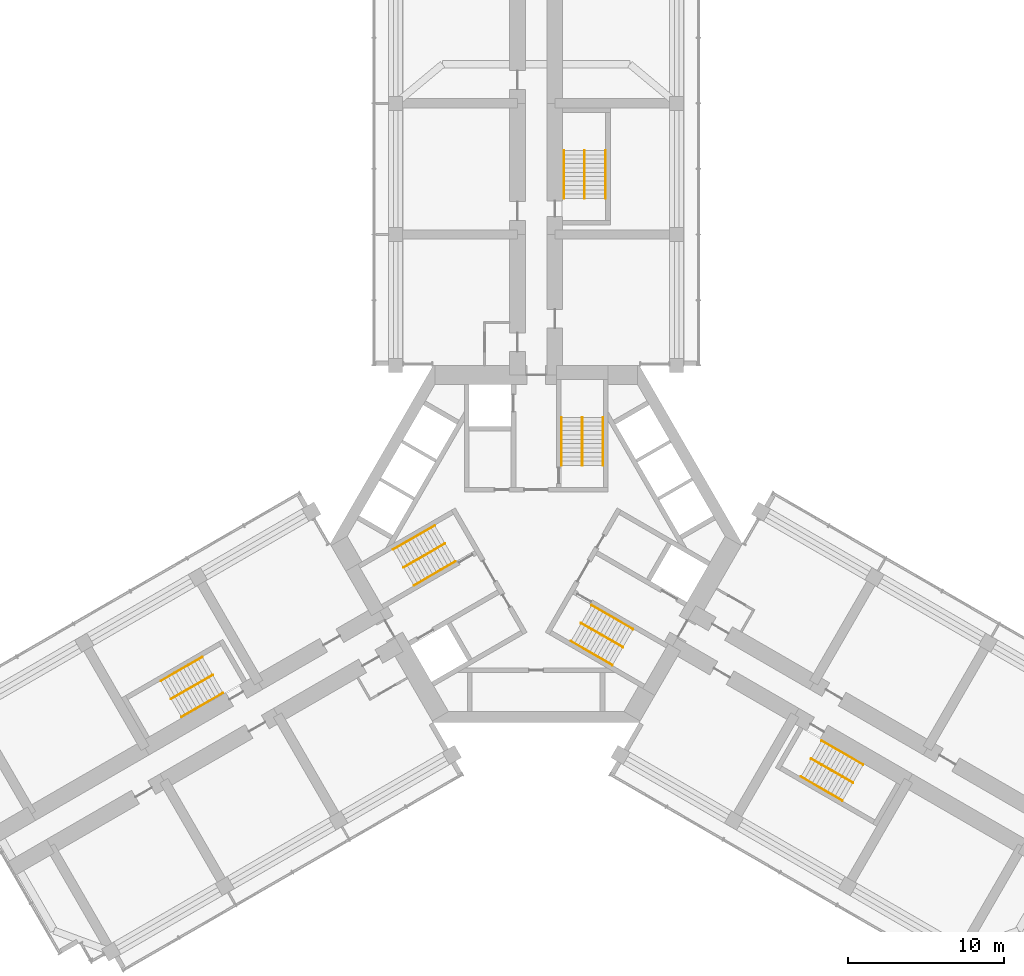
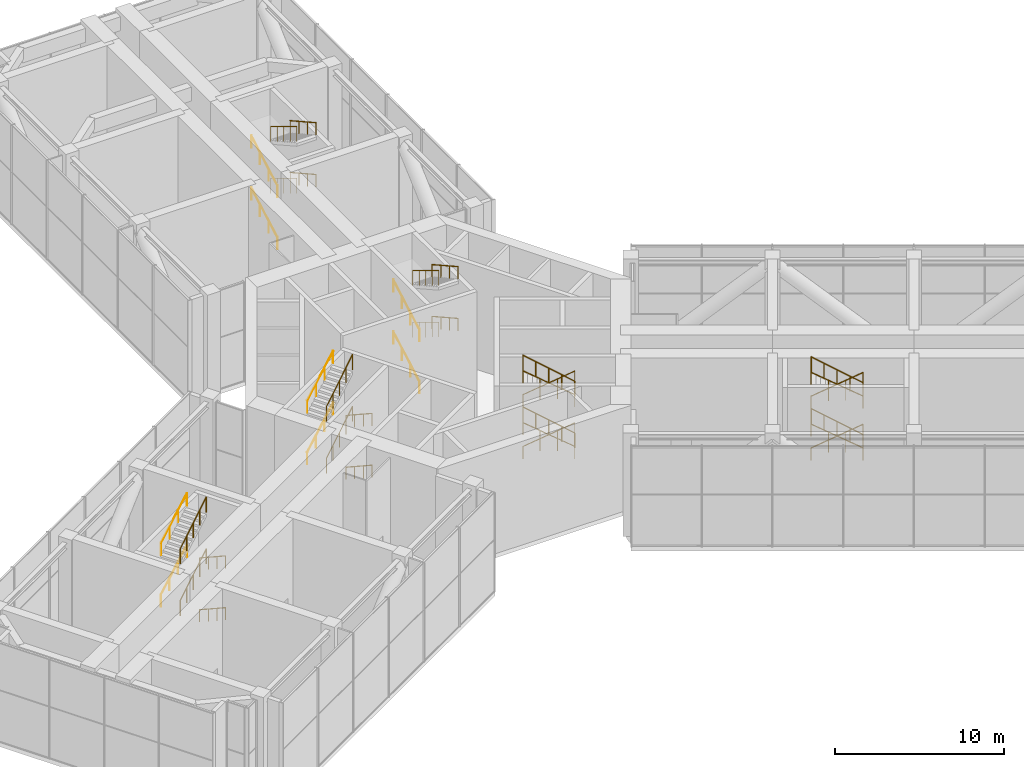
# One storey, part 16 of 16: 36 railings.
"""IFC4 building model written with IfcOpenShell, lengths in metres."""

from ifc_helpers import new_model, si_unit, direction, frame, origin, origin_2d, place, context, subcontext, project, spatial, circle, extrude, material, type_object, element, save


model = new_model("IFC4")

# Units and contexts
model_context = context("Model", 3, precision=1e-05, world=origin(), true_north=direction((0.0, 1.0)))
body_context = subcontext(model_context, "Body", "Model", "MODEL_VIEW")
ifc_project = project(units=[si_unit("LENGTHUNIT", "METRE"), si_unit("AREAUNIT", "SQUARE_METRE"), si_unit("VOLUMEUNIT", "CUBIC_METRE"), si_unit("PLANEANGLEUNIT", "RADIAN"), si_unit("MASSUNIT", "GRAM", prefix="KILO")], contexts=[model_context])

# Site, building, storey
site_placement = place(None, origin())
site = spatial("IfcSite", under=ifc_project, at=site_placement, CompositionType="ELEMENT")
building_placement = place(site_placement, origin())
building = spatial("IfcBuilding", under=site, at=building_placement, Name="Impinga Residences", CompositionType="ELEMENT")
storey_placement = place(building_placement, frame((0.0, 0.0, 181.0)))
storey = spatial("IfcBuildingStorey", under=building, at=storey_placement, Name="L45", CompositionType="ELEMENT", Elevation=181.0)

# Railings
ifc_material_1 = material(Name="Steel guard, powder coated", Category="steel")
railing_type_1 = type_object("IfcRailingType", Name="GR1 stair guard 1100", PredefinedType="GUARDRAIL", material=ifc_material_1)
for number, where, name in (
    (1, (2.949951171875, 8.110107421875, 1.875), "Stair guard GR1 ST1 L45"),
    (2, (2.949951171875, 8.110107421875, 5.625), "Stair guard GR1 ST1 L45"),
):
    element("IfcRailing", number, at=place(storey_placement, frame(where)), inside=storey, type_object=railing_type_1, Name=name, PredefinedType="GUARDRAIL", context=body_context, shape_type="SweptSolid", body=[
        extrude(circle(Radius=0.02392578125, at=origin_2d()), frame((0.0, 0.0, 1.076171875), z_axis=(0.0, -0.854177636135, 0.519981313056), x_axis=(1.0, 0.0, 0.0)), (0.0, 0.0, 1.0), 3.60595703125),
        extrude(circle(Radius=0.02099609375, at=origin_2d()), origin(), (0.0, 0.0, 1.0), 1.052001953125),
        extrude(circle(Radius=0.02099609375, at=origin_2d()), frame((0.0, -0.77001953125, 0.46875)), (0.0, 0.0, 1.0), 1.052001953125),
        extrude(circle(Radius=0.02099609375, at=origin_2d()), frame((0.0, -1.5400390625, 0.9375)), (0.0, 0.0, 1.0), 1.052001953125),
        extrude(circle(Radius=0.02099609375, at=origin_2d()), frame((0.0, -2.31005859375, 1.40625)), (0.0, 0.0, 1.0), 1.052001953125),
        extrude(circle(Radius=0.02099609375, at=origin_2d()), frame((0.0, -3.080078125, 1.875)), (0.0, 0.0, 1.0), 1.052001953125),
    ])
for number, where, name in (
    (3, (-8.49853515625, -1.500244140625, 1.875), "Stair guard GR1 ST2 L45"),
    (4, (-8.49853515625, -1.500244140625, 5.625), "Stair guard GR1 ST2 L45"),
):
    element("IfcRailing", number, at=place(storey_placement, frame(where)), inside=storey, type_object=railing_type_1, Name=name, PredefinedType="GUARDRAIL", context=body_context, shape_type="SweptSolid", body=[
        extrude(circle(Radius=0.02392578125, at=origin_2d()), frame((0.0, 0.0, 1.076171875), z_axis=(0.739746383972, 0.427084037168, 0.519975492303), x_axis=(-0.499992328818, 0.866029832698, 0.0)), (0.0, 0.0, 1.0), 3.60595703125),
        extrude(circle(Radius=0.02099609375, at=origin_2d()), origin(), (0.0, 0.0, 1.0), 1.052001953125),
        extrude(circle(Radius=0.02099609375, at=origin_2d()), frame((0.6669921875, 0.385009765625, 0.46875)), (0.0, 0.0, 1.0), 1.052001953125),
        extrude(circle(Radius=0.02099609375, at=origin_2d()), frame((1.333740234375, 0.77001953125, 0.9375)), (0.0, 0.0, 1.0), 1.052001953125),
        extrude(circle(Radius=0.02099609375, at=origin_2d()), frame((2.00048828125, 1.155029296875, 1.40625)), (0.0, 0.0, 1.0), 1.052001953125),
        extrude(circle(Radius=0.02099609375, at=origin_2d()), frame((2.66748046875, 1.5400390625, 1.875)), (0.0, 0.0, 1.0), 1.052001953125),
    ])
for number, where, name in (
    (5, (5.548583984375, -6.60986328125, 1.875), "Stair guard GR1 ST3 L45"),
    (6, (5.548583984375, -6.60986328125, 5.625), "Stair guard GR1 ST3 L45"),
):
    element("IfcRailing", number, at=place(storey_placement, frame(where)), inside=storey, type_object=railing_type_1, Name=name, PredefinedType="GUARDRAIL", context=body_context, shape_type="SweptSolid", body=[
        extrude(circle(Radius=0.02392578125, at=origin_2d()), frame((0.0, 0.0, 1.076171875), z_axis=(-0.739746383972, 0.427084037168, 0.519975492303), x_axis=(-0.499992328818, -0.866029832698, 0.0)), (0.0, 0.0, 1.0), 3.60595703125),
        extrude(circle(Radius=0.02099609375, at=origin_2d()), origin(), (0.0, 0.0, 1.0), 1.052001953125),
        extrude(circle(Radius=0.02099609375, at=origin_2d()), frame((-0.6669921875, 0.385009765625, 0.46875)), (0.0, 0.0, 1.0), 1.052001953125),
        extrude(circle(Radius=0.02099609375, at=origin_2d()), frame((-1.333740234375, 0.77001953125, 0.9375)), (0.0, 0.0, 1.0), 1.052001953125),
        extrude(circle(Radius=0.02099609375, at=origin_2d()), frame((-2.00048828125, 1.155029296875, 1.40625)), (0.0, 0.0, 1.0), 1.052001953125),
        extrude(circle(Radius=0.02099609375, at=origin_2d()), frame((-2.66748046875, 1.5400390625, 1.875)), (0.0, 0.0, 1.0), 1.052001953125),
    ])
for number, where, name in (
    (7, (3.10009765625, 25.21142578125, 1.875), "Stair guard GR1 WS1 L45"),
    (8, (3.10009765625, 25.21142578125, 5.625), "Stair guard GR1 WS1 L45"),
):
    element("IfcRailing", number, at=place(storey_placement, frame(where)), inside=storey, type_object=railing_type_1, Name=name, PredefinedType="GUARDRAIL", context=body_context, shape_type="SweptSolid", body=[
        extrude(circle(Radius=0.02392578125, at=origin_2d()), frame((0.0, 0.0, 1.076171875), z_axis=(0.0, -0.854159328187, 0.520011386482), x_axis=(1.0, 0.0, 0.0)), (0.0, 0.0, 1.0), 3.605712890625),
        extrude(circle(Radius=0.02099609375, at=origin_2d()), origin(), (0.0, 0.0, 1.0), 1.052001953125),
        extrude(circle(Radius=0.02099609375, at=origin_2d()), frame((0.0, -0.77001953125, 0.46875)), (0.0, 0.0, 1.0), 1.052001953125),
        extrude(circle(Radius=0.02099609375, at=origin_2d()), frame((0.0, -1.5400390625, 0.9375)), (0.0, 0.0, 1.0), 1.052001953125),
        extrude(circle(Radius=0.02099609375, at=origin_2d()), frame((0.0, -2.309814453125, 1.40625)), (0.0, 0.0, 1.0), 1.052001953125),
        extrude(circle(Radius=0.02099609375, at=origin_2d()), frame((0.0, -3.079833984375, 1.875)), (0.0, 0.0, 1.0), 1.052001953125),
    ])
for number, where, name in (
    (9, (-23.3837890625, -9.921142578125, 1.875), "Stair guard GR1 WS2 L45"),
    (10, (-23.3837890625, -9.921142578125, 5.625), "Stair guard GR1 WS2 L45"),
):
    element("IfcRailing", number, at=place(storey_placement, frame(where)), inside=storey, type_object=railing_type_1, Name=name, PredefinedType="GUARDRAIL", context=body_context, shape_type="SweptSolid", body=[
        extrude(circle(Radius=0.02392578125, at=origin_2d()), frame((0.0, 0.0, 1.076171875), z_axis=(0.739715726454, 0.427105428144, 0.52000153585), x_axis=(-0.500026652407, 0.866010015463, 0.0)), (0.0, 0.0, 1.0), 3.605712890625),
        extrude(circle(Radius=0.02099609375, at=origin_2d()), origin(), (0.0, 0.0, 1.0), 1.052001953125),
        extrude(circle(Radius=0.02099609375, at=origin_2d()), frame((0.666748046875, 0.385009765625, 0.46875)), (0.0, 0.0, 1.0), 1.052001953125),
        extrude(circle(Radius=0.02099609375, at=origin_2d()), frame((1.33349609375, 0.77001953125, 0.9375)), (0.0, 0.0, 1.0), 1.052001953125),
        extrude(circle(Radius=0.02099609375, at=origin_2d()), frame((2.00048828125, 1.155029296875, 1.40625)), (0.0, 0.0, 1.0), 1.052001953125),
        extrude(circle(Radius=0.02099609375, at=origin_2d()), frame((2.667236328125, 1.5400390625, 1.875)), (0.0, 0.0, 1.0), 1.052001953125),
    ])
for number, where, name in (
    (11, (20.283935546875, -15.29052734375, 1.875), "Stair guard GR1 WS3 L45"),
    (12, (20.283935546875, -15.29052734375, 5.625), "Stair guard GR1 WS3 L45"),
):
    element("IfcRailing", number, at=place(storey_placement, frame(where)), inside=storey, type_object=railing_type_1, Name=name, PredefinedType="GUARDRAIL", context=body_context, shape_type="SweptSolid", body=[
        extrude(circle(Radius=0.02392578125, at=origin_2d()), frame((0.0, 0.0, 1.076171875), z_axis=(-0.739746383972, 0.427084037168, 0.519975492303), x_axis=(-0.499992328818, -0.866029832698, 0.0)), (0.0, 0.0, 1.0), 3.60595703125),
        extrude(circle(Radius=0.02099609375, at=origin_2d()), origin(), (0.0, 0.0, 1.0), 1.052001953125),
        extrude(circle(Radius=0.02099609375, at=origin_2d()), frame((-0.6669921875, 0.385009765625, 0.46875)), (0.0, 0.0, 1.0), 1.052001953125),
        extrude(circle(Radius=0.02099609375, at=origin_2d()), frame((-1.333740234375, 0.77001953125, 0.9375)), (0.0, 0.0, 1.0), 1.052001953125),
        extrude(circle(Radius=0.02099609375, at=origin_2d()), frame((-2.00048828125, 1.155029296875, 1.40625)), (0.0, 0.0, 1.0), 1.052001953125),
        extrude(circle(Radius=0.02099609375, at=origin_2d()), frame((-2.66748046875, 1.5400390625, 1.875)), (0.0, 0.0, 1.0), 1.052001953125),
    ])
ifc_material_2 = material(Name="Steel handrail tube 42 mm, powder coated", Category="steel")
railing_type_2 = type_object("IfcRailingType", Name="HR1 stair handrail, 42 mm steel tube, 900 above the pitch line", PredefinedType="HANDRAIL", material=ifc_material_2)
railing_1_placement = place(storey_placement, frame((1.62109375, 5.030029296875, 0.15625)))
element("IfcRailing", 13, at=railing_1_placement, inside=storey, type_object=railing_type_2, Name="Stair handrail HR1 ST1 L45", PredefinedType="HANDRAIL", context=body_context, shape_type="SweptSolid", body=[
    extrude(circle(Radius=0.02099609375, at=origin_2d()), frame((0.0, 0.0, 0.87890625), z_axis=(0.0, 0.873241540666, 0.487287606713), x_axis=(-1.0, 0.0, 0.0)), (0.0, 0.0, 1.0), 3.527099609375),
    extrude(circle(Radius=0.012451171875, at=origin_2d()), origin(), (0.0, 0.0, 1.0), 0.85791015625),
    extrude(circle(Radius=0.012451171875, at=origin_2d()), frame((0.0, 1.026611328125, 0.572998046875)), (0.0, 0.0, 1.0), 0.85791015625),
    extrude(circle(Radius=0.012451171875, at=origin_2d()), frame((0.0, 2.053466796875, 1.145751953125)), (0.0, 0.0, 1.0), 0.85791015625),
    extrude(circle(Radius=0.012451171875, at=origin_2d()), frame((0.0, 3.080078125, 1.71875)), (0.0, 0.0, 1.0), 0.85791015625),
])
railing_2_placement = place(storey_placement, frame((4.279052734375, 8.110107421875, 2.03125)))
element("IfcRailing", 14, at=railing_2_placement, inside=storey, type_object=railing_type_2, Name="Stair handrail HR1 ST1 L45", PredefinedType="HANDRAIL", context=body_context, shape_type="SweptSolid", body=[
    extrude(circle(Radius=0.02099609375, at=origin_2d()), frame((0.0, 0.0, 0.87890625), z_axis=(0.0, -0.873241540666, 0.487287606713), x_axis=(1.0, 0.0, 0.0)), (0.0, 0.0, 1.0), 3.527099609375),
    extrude(circle(Radius=0.012451171875, at=origin_2d()), origin(), (0.0, 0.0, 1.0), 0.85791015625),
    extrude(circle(Radius=0.012451171875, at=origin_2d()), frame((0.0, -1.026611328125, 0.572998046875)), (0.0, 0.0, 1.0), 0.85791015625),
    extrude(circle(Radius=0.012451171875, at=origin_2d()), frame((0.0, -2.053466796875, 1.145751953125)), (0.0, 0.0, 1.0), 0.85791015625),
    extrude(circle(Radius=0.012451171875, at=origin_2d()), frame((0.0, -3.080078125, 1.71875)), (0.0, 0.0, 1.0), 0.85791015625),
])
railing_3_placement = place(storey_placement, frame((1.62109375, 5.030029296875, 3.90625)))
element("IfcRailing", 15, at=railing_3_placement, inside=storey, type_object=railing_type_2, Name="Stair handrail HR1 ST1 L45", PredefinedType="HANDRAIL", context=body_context, shape_type="SweptSolid", body=[
    extrude(circle(Radius=0.02099609375, at=origin_2d()), frame((0.0, 0.0, 0.87890625), z_axis=(0.0, 0.873241540666, 0.487287606713), x_axis=(-1.0, 0.0, 0.0)), (0.0, 0.0, 1.0), 3.527099609375),
    extrude(circle(Radius=0.012451171875, at=origin_2d()), origin(), (0.0, 0.0, 1.0), 0.85791015625),
    extrude(circle(Radius=0.012451171875, at=origin_2d()), frame((0.0, 1.026611328125, 0.572998046875)), (0.0, 0.0, 1.0), 0.85791015625),
    extrude(circle(Radius=0.012451171875, at=origin_2d()), frame((0.0, 2.053466796875, 1.145751953125)), (0.0, 0.0, 1.0), 0.85791015625),
    extrude(circle(Radius=0.012451171875, at=origin_2d()), frame((0.0, 3.080078125, 1.71875)), (0.0, 0.0, 1.0), 0.85791015625),
])
railing_4_placement = place(storey_placement, frame((4.279052734375, 8.110107421875, 5.78125)))
element("IfcRailing", 16, at=railing_4_placement, inside=storey, type_object=railing_type_2, Name="Stair handrail HR1 ST1 L45", PredefinedType="HANDRAIL", context=body_context, shape_type="SweptSolid", body=[
    extrude(circle(Radius=0.02099609375, at=origin_2d()), frame((0.0, 0.0, 0.87890625), z_axis=(0.0, -0.873241540666, 0.487287606713), x_axis=(1.0, 0.0, 0.0)), (0.0, 0.0, 1.0), 3.527099609375),
    extrude(circle(Radius=0.012451171875, at=origin_2d()), origin(), (0.0, 0.0, 1.0), 0.85791015625),
    extrude(circle(Radius=0.012451171875, at=origin_2d()), frame((0.0, -1.026611328125, 0.572998046875)), (0.0, 0.0, 1.0), 0.85791015625),
    extrude(circle(Radius=0.012451171875, at=origin_2d()), frame((0.0, -2.053466796875, 1.145751953125)), (0.0, 0.0, 1.0), 0.85791015625),
    extrude(circle(Radius=0.012451171875, at=origin_2d()), frame((0.0, -3.080078125, 1.71875)), (0.0, 0.0, 1.0), 0.85791015625),
])
railing_5_placement = place(storey_placement, frame((-5.16650390625, -1.111083984375, 0.15625)))
element("IfcRailing", 17, at=railing_5_placement, inside=storey, type_object=railing_type_2, Name="Stair handrail HR1 ST2 L45", PredefinedType="HANDRAIL", context=body_context, shape_type="SweptSolid", body=[
    extrude(circle(Radius=0.02099609375, at=origin_2d()), frame((0.0, 0.0, 0.87890625), z_axis=(-0.756255980417, -0.436615662133, 0.487281905742), x_axis=(0.499992328818, -0.866029832698, 0.0)), (0.0, 0.0, 1.0), 3.527099609375),
    extrude(circle(Radius=0.012451171875, at=origin_2d()), origin(), (0.0, 0.0, 1.0), 0.85791015625),
    extrude(circle(Radius=0.012451171875, at=origin_2d()), frame((-0.88916015625, -0.513427734375, 0.572998046875)), (0.0, 0.0, 1.0), 0.85791015625),
    extrude(circle(Radius=0.012451171875, at=origin_2d()), frame((-1.7783203125, -1.026611328125, 1.145751953125)), (0.0, 0.0, 1.0), 0.85791015625),
    extrude(circle(Radius=0.012451171875, at=origin_2d()), frame((-2.66748046875, -1.5400390625, 1.71875)), (0.0, 0.0, 1.0), 0.85791015625),
])
railing_6_placement = place(storey_placement, frame((-9.1630859375, -0.349365234375, 2.03125)))
element("IfcRailing", 18, at=railing_6_placement, inside=storey, type_object=railing_type_2, Name="Stair handrail HR1 ST2 L45", PredefinedType="HANDRAIL", context=body_context, shape_type="SweptSolid", body=[
    extrude(circle(Radius=0.02099609375, at=origin_2d()), frame((0.0, 0.0, 0.87890625), z_axis=(0.756255980417, 0.436615662133, 0.487281905742), x_axis=(-0.499992328818, 0.866029832698, 0.0)), (0.0, 0.0, 1.0), 3.527099609375),
    extrude(circle(Radius=0.012451171875, at=origin_2d()), origin(), (0.0, 0.0, 1.0), 0.85791015625),
    extrude(circle(Radius=0.012451171875, at=origin_2d()), frame((0.88916015625, 0.513427734375, 0.572998046875)), (0.0, 0.0, 1.0), 0.85791015625),
    extrude(circle(Radius=0.012451171875, at=origin_2d()), frame((1.7783203125, 1.026611328125, 1.145751953125)), (0.0, 0.0, 1.0), 0.85791015625),
    extrude(circle(Radius=0.012451171875, at=origin_2d()), frame((2.66748046875, 1.5400390625, 1.71875)), (0.0, 0.0, 1.0), 0.85791015625),
])
railing_7_placement = place(storey_placement, frame((-5.16650390625, -1.111083984375, 3.90625)))
element("IfcRailing", 19, at=railing_7_placement, inside=storey, type_object=railing_type_2, Name="Stair handrail HR1 ST2 L45", PredefinedType="HANDRAIL", context=body_context, shape_type="SweptSolid", body=[
    extrude(circle(Radius=0.02099609375, at=origin_2d()), frame((0.0, 0.0, 0.87890625), z_axis=(-0.756255980417, -0.436615662133, 0.487281905742), x_axis=(0.499992328818, -0.866029832698, 0.0)), (0.0, 0.0, 1.0), 3.527099609375),
    extrude(circle(Radius=0.012451171875, at=origin_2d()), origin(), (0.0, 0.0, 1.0), 0.85791015625),
    extrude(circle(Radius=0.012451171875, at=origin_2d()), frame((-0.88916015625, -0.513427734375, 0.572998046875)), (0.0, 0.0, 1.0), 0.85791015625),
    extrude(circle(Radius=0.012451171875, at=origin_2d()), frame((-1.7783203125, -1.026611328125, 1.145751953125)), (0.0, 0.0, 1.0), 0.85791015625),
    extrude(circle(Radius=0.012451171875, at=origin_2d()), frame((-2.66748046875, -1.5400390625, 1.71875)), (0.0, 0.0, 1.0), 0.85791015625),
])
railing_8_placement = place(storey_placement, frame((-9.1630859375, -0.349365234375, 5.78125)))
element("IfcRailing", 20, at=railing_8_placement, inside=storey, type_object=railing_type_2, Name="Stair handrail HR1 ST2 L45", PredefinedType="HANDRAIL", context=body_context, shape_type="SweptSolid", body=[
    extrude(circle(Radius=0.02099609375, at=origin_2d()), frame((0.0, 0.0, 0.87890625), z_axis=(0.756255980417, 0.436615662133, 0.487281905742), x_axis=(-0.499992328818, 0.866029832698, 0.0)), (0.0, 0.0, 1.0), 3.527099609375),
    extrude(circle(Radius=0.012451171875, at=origin_2d()), origin(), (0.0, 0.0, 1.0), 0.85791015625),
    extrude(circle(Radius=0.012451171875, at=origin_2d()), frame((0.88916015625, 0.513427734375, 0.572998046875)), (0.0, 0.0, 1.0), 0.85791015625),
    extrude(circle(Radius=0.012451171875, at=origin_2d()), frame((1.7783203125, 1.026611328125, 1.145751953125)), (0.0, 0.0, 1.0), 0.85791015625),
    extrude(circle(Radius=0.012451171875, at=origin_2d()), frame((2.66748046875, 1.5400390625, 1.71875)), (0.0, 0.0, 1.0), 0.85791015625),
])
railing_9_placement = place(storey_placement, frame((3.545654296875, -3.9189453125, 0.15625)))
element("IfcRailing", 21, at=railing_9_placement, inside=storey, type_object=railing_type_2, Name="Stair handrail HR1 ST3 L45", PredefinedType="HANDRAIL", context=body_context, shape_type="SweptSolid", body=[
    extrude(circle(Radius=0.02099609375, at=origin_2d()), frame((0.0, 0.0, 0.87890625), z_axis=(0.756249203677, -0.436582492228, 0.487322141317), x_axis=(0.499967199496, 0.866044340336, 0.0)), (0.0, 0.0, 1.0), 3.52685546875),
    extrude(circle(Radius=0.012451171875, at=origin_2d()), origin(), (0.0, 0.0, 1.0), 0.85791015625),
    extrude(circle(Radius=0.012451171875, at=origin_2d()), frame((0.88916015625, -0.51318359375, 0.572998046875)), (0.0, 0.0, 1.0), 0.85791015625),
    extrude(circle(Radius=0.012451171875, at=origin_2d()), frame((1.778076171875, -1.026611328125, 1.145751953125)), (0.0, 0.0, 1.0), 0.85791015625),
    extrude(circle(Radius=0.012451171875, at=origin_2d()), frame((2.667236328125, -1.539794921875, 1.71875)), (0.0, 0.0, 1.0), 0.85791015625),
])
railing_10_placement = place(storey_placement, frame((4.884033203125, -7.7607421875, 2.03125)))
element("IfcRailing", 22, at=railing_10_placement, inside=storey, type_object=railing_type_2, Name="Stair handrail HR1 ST3 L45", PredefinedType="HANDRAIL", context=body_context, shape_type="SweptSolid", body=[
    extrude(circle(Radius=0.02099609375, at=origin_2d()), frame((0.0, 0.0, 0.87890625), z_axis=(-0.756255980417, 0.436615662133, 0.487281905742), x_axis=(-0.499992328818, -0.866029832698, 0.0)), (0.0, 0.0, 1.0), 3.527099609375),
    extrude(circle(Radius=0.012451171875, at=origin_2d()), origin(), (0.0, 0.0, 1.0), 0.85791015625),
    extrude(circle(Radius=0.012451171875, at=origin_2d()), frame((-0.88916015625, 0.513427734375, 0.572998046875)), (0.0, 0.0, 1.0), 0.85791015625),
    extrude(circle(Radius=0.012451171875, at=origin_2d()), frame((-1.7783203125, 1.026611328125, 1.145751953125)), (0.0, 0.0, 1.0), 0.85791015625),
    extrude(circle(Radius=0.012451171875, at=origin_2d()), frame((-2.66748046875, 1.5400390625, 1.71875)), (0.0, 0.0, 1.0), 0.85791015625),
])
railing_11_placement = place(storey_placement, frame((3.545654296875, -3.9189453125, 3.90625)))
element("IfcRailing", 23, at=railing_11_placement, inside=storey, type_object=railing_type_2, Name="Stair handrail HR1 ST3 L45", PredefinedType="HANDRAIL", context=body_context, shape_type="SweptSolid", body=[
    extrude(circle(Radius=0.02099609375, at=origin_2d()), frame((0.0, 0.0, 0.87890625), z_axis=(0.756249203677, -0.436582492228, 0.487322141317), x_axis=(0.499967199496, 0.866044340336, 0.0)), (0.0, 0.0, 1.0), 3.52685546875),
    extrude(circle(Radius=0.012451171875, at=origin_2d()), origin(), (0.0, 0.0, 1.0), 0.85791015625),
    extrude(circle(Radius=0.012451171875, at=origin_2d()), frame((0.88916015625, -0.51318359375, 0.572998046875)), (0.0, 0.0, 1.0), 0.85791015625),
    extrude(circle(Radius=0.012451171875, at=origin_2d()), frame((1.778076171875, -1.026611328125, 1.145751953125)), (0.0, 0.0, 1.0), 0.85791015625),
    extrude(circle(Radius=0.012451171875, at=origin_2d()), frame((2.667236328125, -1.539794921875, 1.71875)), (0.0, 0.0, 1.0), 0.85791015625),
])
railing_12_placement = place(storey_placement, frame((4.884033203125, -7.7607421875, 5.78125)))
element("IfcRailing", 24, at=railing_12_placement, inside=storey, type_object=railing_type_2, Name="Stair handrail HR1 ST3 L45", PredefinedType="HANDRAIL", context=body_context, shape_type="SweptSolid", body=[
    extrude(circle(Radius=0.02099609375, at=origin_2d()), frame((0.0, 0.0, 0.87890625), z_axis=(-0.756255980417, 0.436615662133, 0.487281905742), x_axis=(-0.499992328818, -0.866029832698, 0.0)), (0.0, 0.0, 1.0), 3.527099609375),
    extrude(circle(Radius=0.012451171875, at=origin_2d()), origin(), (0.0, 0.0, 1.0), 0.85791015625),
    extrude(circle(Radius=0.012451171875, at=origin_2d()), frame((-0.88916015625, 0.513427734375, 0.572998046875)), (0.0, 0.0, 1.0), 0.85791015625),
    extrude(circle(Radius=0.012451171875, at=origin_2d()), frame((-1.7783203125, 1.026611328125, 1.145751953125)), (0.0, 0.0, 1.0), 0.85791015625),
    extrude(circle(Radius=0.012451171875, at=origin_2d()), frame((-2.66748046875, 1.5400390625, 1.71875)), (0.0, 0.0, 1.0), 0.85791015625),
])
railing_13_placement = place(storey_placement, frame((1.77099609375, 22.131591796875, 0.15625)))
element("IfcRailing", 25, at=railing_13_placement, inside=storey, type_object=railing_type_2, Name="Stair handrail HR1 WS1 L45", PredefinedType="HANDRAIL", context=body_context, shape_type="SweptSolid", body=[
    extrude(circle(Radius=0.02099609375, at=origin_2d()), frame((0.0, 0.0, 0.87890625), z_axis=(0.0, 0.873225103656, 0.487317061414), x_axis=(-1.0, 0.0, 0.0)), (0.0, 0.0, 1.0), 3.52685546875),
    extrude(circle(Radius=0.012451171875, at=origin_2d()), origin(), (0.0, 0.0, 1.0), 0.85791015625),
    extrude(circle(Radius=0.012451171875, at=origin_2d()), frame((0.0, 1.026611328125, 0.572998046875)), (0.0, 0.0, 1.0), 0.85791015625),
    extrude(circle(Radius=0.012451171875, at=origin_2d()), frame((0.0, 2.05322265625, 1.145751953125)), (0.0, 0.0, 1.0), 0.85791015625),
    extrude(circle(Radius=0.012451171875, at=origin_2d()), frame((0.0, 3.079833984375, 1.71875)), (0.0, 0.0, 1.0), 0.85791015625),
])
railing_14_placement = place(storey_placement, frame((4.428955078125, 25.21142578125, 2.03125)))
element("IfcRailing", 26, at=railing_14_placement, inside=storey, type_object=railing_type_2, Name="Stair handrail HR1 WS1 L45", PredefinedType="HANDRAIL", context=body_context, shape_type="SweptSolid", body=[
    extrude(circle(Radius=0.02099609375, at=origin_2d()), frame((0.0, 0.0, 0.87890625), z_axis=(0.0, -0.873225103656, 0.487317061414), x_axis=(1.0, 0.0, 0.0)), (0.0, 0.0, 1.0), 3.52685546875),
    extrude(circle(Radius=0.012451171875, at=origin_2d()), origin(), (0.0, 0.0, 1.0), 0.85791015625),
    extrude(circle(Radius=0.012451171875, at=origin_2d()), frame((0.0, -1.026611328125, 0.572998046875)), (0.0, 0.0, 1.0), 0.85791015625),
    extrude(circle(Radius=0.012451171875, at=origin_2d()), frame((0.0, -2.05322265625, 1.145751953125)), (0.0, 0.0, 1.0), 0.85791015625),
    extrude(circle(Radius=0.012451171875, at=origin_2d()), frame((0.0, -3.079833984375, 1.71875)), (0.0, 0.0, 1.0), 0.85791015625),
])
railing_15_placement = place(storey_placement, frame((1.77099609375, 22.131591796875, 3.90625)))
element("IfcRailing", 27, at=railing_15_placement, inside=storey, type_object=railing_type_2, Name="Stair handrail HR1 WS1 L45", PredefinedType="HANDRAIL", context=body_context, shape_type="SweptSolid", body=[
    extrude(circle(Radius=0.02099609375, at=origin_2d()), frame((0.0, 0.0, 0.87890625), z_axis=(0.0, 0.873225103656, 0.487317061414), x_axis=(-1.0, 0.0, 0.0)), (0.0, 0.0, 1.0), 3.52685546875),
    extrude(circle(Radius=0.012451171875, at=origin_2d()), origin(), (0.0, 0.0, 1.0), 0.85791015625),
    extrude(circle(Radius=0.012451171875, at=origin_2d()), frame((0.0, 1.026611328125, 0.572998046875)), (0.0, 0.0, 1.0), 0.85791015625),
    extrude(circle(Radius=0.012451171875, at=origin_2d()), frame((0.0, 2.05322265625, 1.145751953125)), (0.0, 0.0, 1.0), 0.85791015625),
    extrude(circle(Radius=0.012451171875, at=origin_2d()), frame((0.0, 3.079833984375, 1.71875)), (0.0, 0.0, 1.0), 0.85791015625),
])
railing_16_placement = place(storey_placement, frame((4.428955078125, 25.21142578125, 5.78125)))
element("IfcRailing", 28, at=railing_16_placement, inside=storey, type_object=railing_type_2, Name="Stair handrail HR1 WS1 L45", PredefinedType="HANDRAIL", context=body_context, shape_type="SweptSolid", body=[
    extrude(circle(Radius=0.02099609375, at=origin_2d()), frame((0.0, 0.0, 0.87890625), z_axis=(0.0, -0.873225103656, 0.487317061414), x_axis=(1.0, 0.0, 0.0)), (0.0, 0.0, 1.0), 3.52685546875),
    extrude(circle(Radius=0.012451171875, at=origin_2d()), origin(), (0.0, 0.0, 1.0), 0.85791015625),
    extrude(circle(Radius=0.012451171875, at=origin_2d()), frame((0.0, -1.026611328125, 0.572998046875)), (0.0, 0.0, 1.0), 0.85791015625),
    extrude(circle(Radius=0.012451171875, at=origin_2d()), frame((0.0, -2.05322265625, 1.145751953125)), (0.0, 0.0, 1.0), 0.85791015625),
    extrude(circle(Radius=0.012451171875, at=origin_2d()), frame((0.0, -3.079833984375, 1.71875)), (0.0, 0.0, 1.0), 0.85791015625),
])
railing_17_placement = place(storey_placement, frame((-20.052001953125, -9.531982421875, 0.15625)))
element("IfcRailing", 29, at=railing_17_placement, inside=storey, type_object=railing_type_2, Name="Stair handrail HR1 WS2 L45", PredefinedType="HANDRAIL", context=body_context, shape_type="SweptSolid", body=[
    extrude(circle(Radius=0.02099609375, at=origin_2d()), frame((0.0, 0.0, 0.87890625), z_axis=(-0.756226348243, -0.436638517594, 0.487307413422), x_axis=(0.500026652407, -0.866010015463, 0.0)), (0.0, 0.0, 1.0), 3.527099609375),
    extrude(circle(Radius=0.012451171875, at=origin_2d()), origin(), (0.0, 0.0, 1.0), 0.85791015625),
    extrude(circle(Radius=0.012451171875, at=origin_2d()), frame((-0.88916015625, -0.513427734375, 0.572998046875)), (0.0, 0.0, 1.0), 0.85791015625),
    extrude(circle(Radius=0.012451171875, at=origin_2d()), frame((-1.778076171875, -1.026611328125, 1.145751953125)), (0.0, 0.0, 1.0), 0.85791015625),
    extrude(circle(Radius=0.012451171875, at=origin_2d()), frame((-2.667236328125, -1.5400390625, 1.71875)), (0.0, 0.0, 1.0), 0.85791015625),
])
railing_18_placement = place(storey_placement, frame((-24.04833984375, -8.77001953125, 2.03125)))
element("IfcRailing", 30, at=railing_18_placement, inside=storey, type_object=railing_type_2, Name="Stair handrail HR1 WS2 L45", PredefinedType="HANDRAIL", context=body_context, shape_type="SweptSolid", body=[
    extrude(circle(Radius=0.02099609375, at=origin_2d()), frame((0.0, 0.0, 0.87890625), z_axis=(0.756278834354, 0.436559638319, 0.487296631324), x_axis=(-0.499932877268, 0.866064153644, 0.0)), (0.0, 0.0, 1.0), 3.527099609375),
    extrude(circle(Radius=0.012451171875, at=origin_2d()), origin(), (0.0, 0.0, 1.0), 0.85791015625),
    extrude(circle(Radius=0.012451171875, at=origin_2d()), frame((0.88916015625, 0.51318359375, 0.572998046875)), (0.0, 0.0, 1.0), 0.85791015625),
    extrude(circle(Radius=0.012451171875, at=origin_2d()), frame((1.7783203125, 1.026611328125, 1.145751953125)), (0.0, 0.0, 1.0), 0.85791015625),
    extrude(circle(Radius=0.012451171875, at=origin_2d()), frame((2.66748046875, 1.539794921875, 1.71875)), (0.0, 0.0, 1.0), 0.85791015625),
])
railing_19_placement = place(storey_placement, frame((-20.052001953125, -9.531982421875, 3.90625)))
element("IfcRailing", 31, at=railing_19_placement, inside=storey, type_object=railing_type_2, Name="Stair handrail HR1 WS2 L45", PredefinedType="HANDRAIL", context=body_context, shape_type="SweptSolid", body=[
    extrude(circle(Radius=0.02099609375, at=origin_2d()), frame((0.0, 0.0, 0.87890625), z_axis=(-0.756226348243, -0.436638517594, 0.487307413422), x_axis=(0.500026652407, -0.866010015463, 0.0)), (0.0, 0.0, 1.0), 3.527099609375),
    extrude(circle(Radius=0.012451171875, at=origin_2d()), origin(), (0.0, 0.0, 1.0), 0.85791015625),
    extrude(circle(Radius=0.012451171875, at=origin_2d()), frame((-0.88916015625, -0.513427734375, 0.572998046875)), (0.0, 0.0, 1.0), 0.85791015625),
    extrude(circle(Radius=0.012451171875, at=origin_2d()), frame((-1.778076171875, -1.026611328125, 1.145751953125)), (0.0, 0.0, 1.0), 0.85791015625),
    extrude(circle(Radius=0.012451171875, at=origin_2d()), frame((-2.667236328125, -1.5400390625, 1.71875)), (0.0, 0.0, 1.0), 0.85791015625),
])
railing_20_placement = place(storey_placement, frame((-24.04833984375, -8.77001953125, 5.78125)))
element("IfcRailing", 32, at=railing_20_placement, inside=storey, type_object=railing_type_2, Name="Stair handrail HR1 WS2 L45", PredefinedType="HANDRAIL", context=body_context, shape_type="SweptSolid", body=[
    extrude(circle(Radius=0.02099609375, at=origin_2d()), frame((0.0, 0.0, 0.87890625), z_axis=(0.756278834354, 0.436559638319, 0.487296631324), x_axis=(-0.499932877268, 0.866064153644, 0.0)), (0.0, 0.0, 1.0), 3.527099609375),
    extrude(circle(Radius=0.012451171875, at=origin_2d()), origin(), (0.0, 0.0, 1.0), 0.85791015625),
    extrude(circle(Radius=0.012451171875, at=origin_2d()), frame((0.88916015625, 0.51318359375, 0.572998046875)), (0.0, 0.0, 1.0), 0.85791015625),
    extrude(circle(Radius=0.012451171875, at=origin_2d()), frame((1.7783203125, 1.026611328125, 1.145751953125)), (0.0, 0.0, 1.0), 0.85791015625),
    extrude(circle(Radius=0.012451171875, at=origin_2d()), frame((2.66748046875, 1.539794921875, 1.71875)), (0.0, 0.0, 1.0), 0.85791015625),
])
railing_21_placement = place(storey_placement, frame((18.281005859375, -12.599609375, 0.15625)))
element("IfcRailing", 33, at=railing_21_placement, inside=storey, type_object=railing_type_2, Name="Stair handrail HR1 WS3 L45", PredefinedType="HANDRAIL", context=body_context, shape_type="SweptSolid", body=[
    extrude(circle(Radius=0.02099609375, at=origin_2d()), frame((0.0, 0.0, 0.87890625), z_axis=(0.756249203677, -0.436582492228, 0.487322141317), x_axis=(0.499967199496, 0.866044340336, 0.0)), (0.0, 0.0, 1.0), 3.52685546875),
    extrude(circle(Radius=0.012451171875, at=origin_2d()), origin(), (0.0, 0.0, 1.0), 0.85791015625),
    extrude(circle(Radius=0.012451171875, at=origin_2d()), frame((0.88916015625, -0.51318359375, 0.572998046875)), (0.0, 0.0, 1.0), 0.85791015625),
    extrude(circle(Radius=0.012451171875, at=origin_2d()), frame((1.778076171875, -1.026611328125, 1.145751953125)), (0.0, 0.0, 1.0), 0.85791015625),
    extrude(circle(Radius=0.012451171875, at=origin_2d()), frame((2.667236328125, -1.539794921875, 1.71875)), (0.0, 0.0, 1.0), 0.85791015625),
])
railing_22_placement = place(storey_placement, frame((19.619384765625, -16.44140625, 2.03125)))
element("IfcRailing", 34, at=railing_22_placement, inside=storey, type_object=railing_type_2, Name="Stair handrail HR1 WS3 L45", PredefinedType="HANDRAIL", context=body_context, shape_type="SweptSolid", body=[
    extrude(circle(Radius=0.02099609375, at=origin_2d()), frame((0.0, 0.0, 0.87890625), z_axis=(-0.756255980417, 0.436615662133, 0.487281905742), x_axis=(-0.499992328818, -0.866029832698, 0.0)), (0.0, 0.0, 1.0), 3.527099609375),
    extrude(circle(Radius=0.012451171875, at=origin_2d()), origin(), (0.0, 0.0, 1.0), 0.85791015625),
    extrude(circle(Radius=0.012451171875, at=origin_2d()), frame((-0.88916015625, 0.513427734375, 0.572998046875)), (0.0, 0.0, 1.0), 0.85791015625),
    extrude(circle(Radius=0.012451171875, at=origin_2d()), frame((-1.7783203125, 1.026611328125, 1.145751953125)), (0.0, 0.0, 1.0), 0.85791015625),
    extrude(circle(Radius=0.012451171875, at=origin_2d()), frame((-2.66748046875, 1.5400390625, 1.71875)), (0.0, 0.0, 1.0), 0.85791015625),
])
railing_23_placement = place(storey_placement, frame((18.281005859375, -12.599609375, 3.90625)))
element("IfcRailing", 35, at=railing_23_placement, inside=storey, type_object=railing_type_2, Name="Stair handrail HR1 WS3 L45", PredefinedType="HANDRAIL", context=body_context, shape_type="SweptSolid", body=[
    extrude(circle(Radius=0.02099609375, at=origin_2d()), frame((0.0, 0.0, 0.87890625), z_axis=(0.756249203677, -0.436582492228, 0.487322141317), x_axis=(0.499967199496, 0.866044340336, 0.0)), (0.0, 0.0, 1.0), 3.52685546875),
    extrude(circle(Radius=0.012451171875, at=origin_2d()), origin(), (0.0, 0.0, 1.0), 0.85791015625),
    extrude(circle(Radius=0.012451171875, at=origin_2d()), frame((0.88916015625, -0.51318359375, 0.572998046875)), (0.0, 0.0, 1.0), 0.85791015625),
    extrude(circle(Radius=0.012451171875, at=origin_2d()), frame((1.778076171875, -1.026611328125, 1.145751953125)), (0.0, 0.0, 1.0), 0.85791015625),
    extrude(circle(Radius=0.012451171875, at=origin_2d()), frame((2.667236328125, -1.539794921875, 1.71875)), (0.0, 0.0, 1.0), 0.85791015625),
])
railing_24_placement = place(storey_placement, frame((19.619384765625, -16.44140625, 5.78125)))
element("IfcRailing", 36, at=railing_24_placement, inside=storey, type_object=railing_type_2, Name="Stair handrail HR1 WS3 L45", PredefinedType="HANDRAIL", context=body_context, shape_type="SweptSolid", body=[
    extrude(circle(Radius=0.02099609375, at=origin_2d()), frame((0.0, 0.0, 0.87890625), z_axis=(-0.756255980417, 0.436615662133, 0.487281905742), x_axis=(-0.499992328818, -0.866029832698, 0.0)), (0.0, 0.0, 1.0), 3.527099609375),
    extrude(circle(Radius=0.012451171875, at=origin_2d()), origin(), (0.0, 0.0, 1.0), 0.85791015625),
    extrude(circle(Radius=0.012451171875, at=origin_2d()), frame((-0.88916015625, 0.513427734375, 0.572998046875)), (0.0, 0.0, 1.0), 0.85791015625),
    extrude(circle(Radius=0.012451171875, at=origin_2d()), frame((-1.7783203125, 1.026611328125, 1.145751953125)), (0.0, 0.0, 1.0), 0.85791015625),
    extrude(circle(Radius=0.012451171875, at=origin_2d()), frame((-2.66748046875, 1.5400390625, 1.71875)), (0.0, 0.0, 1.0), 0.85791015625),
])

save(model, "model.ifc")
